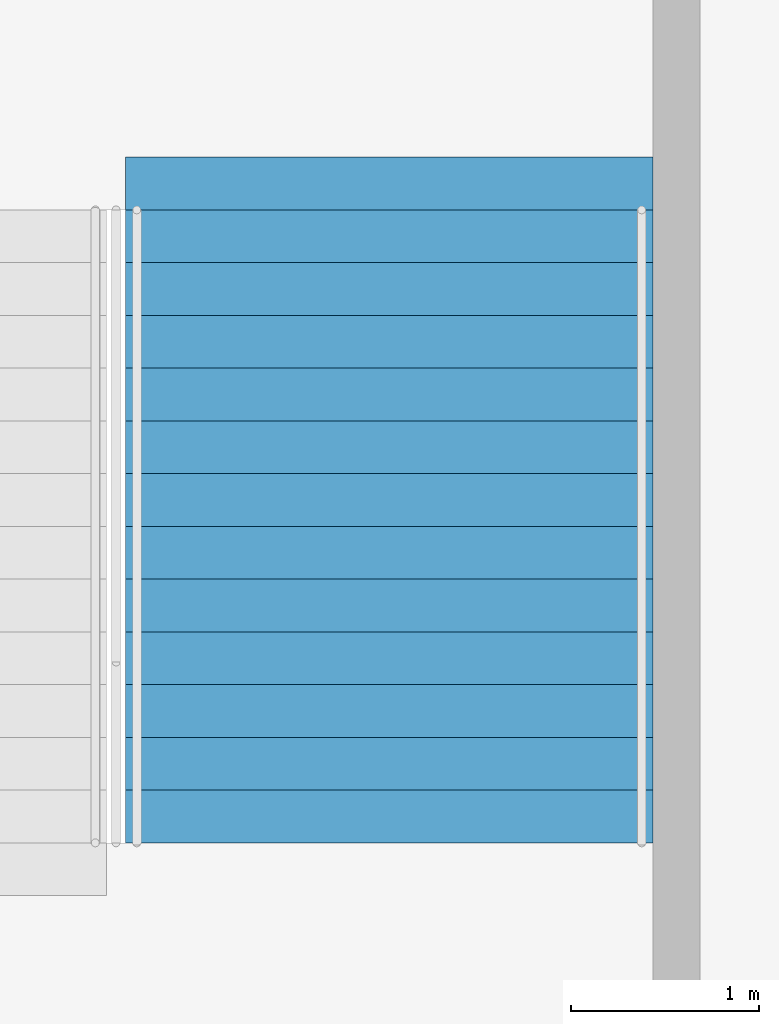
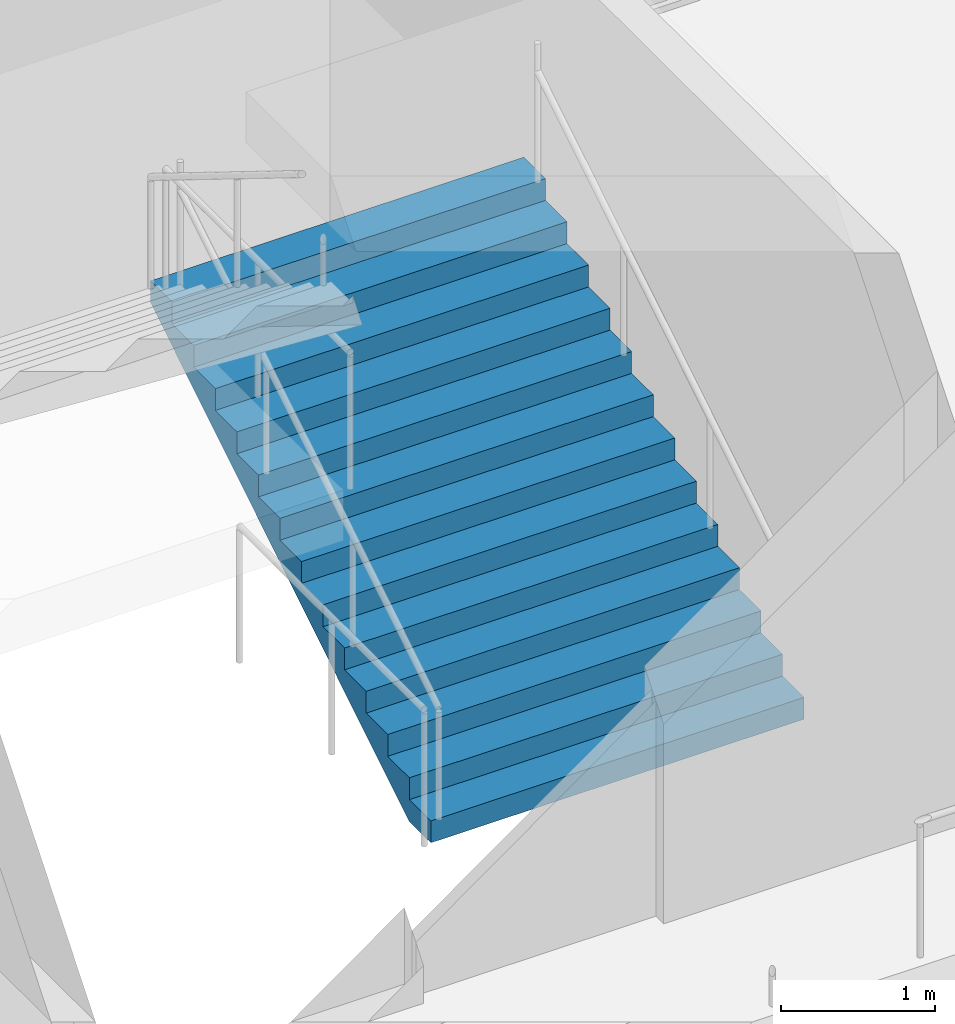
# One storey, part 147 of 177: 1 stair flight, 1 element without a shape of its own.
"""IFC4 building model written with IfcOpenShell, lengths in metres."""

from ifc_helpers import new_model, si_unit, direction, frame, origin, place, context, subcontext, project, spatial, faceted_brep, material, type_object, element, aggregate, save


model = new_model("IFC4")

# Units and contexts
model_context = context("Model", 3, precision=1e-05, world=origin(), true_north=direction((0.0, 1.0)))
body_context = subcontext(model_context, "Body", "Model", "MODEL_VIEW")
ifc_project = project(units=[si_unit("LENGTHUNIT", "METRE"), si_unit("AREAUNIT", "SQUARE_METRE"), si_unit("VOLUMEUNIT", "CUBIC_METRE"), si_unit("PLANEANGLEUNIT", "RADIAN"), si_unit("MASSUNIT", "GRAM", prefix="KILO")], contexts=[model_context])

# Site, building, storey
site_placement = place(None, origin())
site = spatial("IfcSite", under=ifc_project, at=site_placement, CompositionType="ELEMENT")
building_placement = place(site_placement, origin())
building = spatial("IfcBuilding", under=site, at=building_placement, Name="Ogive Plaza Stadium", CompositionType="ELEMENT")
storey_placement = place(building_placement, frame((0.0, 0.0, 18.0)))
storey = spatial("IfcBuildingStorey", under=building, at=storey_placement, Name="L04", CompositionType="ELEMENT", Elevation=18.0)

# Stair, stair flight
ifc_material_1 = material(Name="Concrete C40/50", Category="concrete")
stair_type = type_object("IfcStairType", Name="Exit stair", PredefinedType="STRAIGHT_RUN_STAIR", material=ifc_material_1)
stair_placement = place(storey_placement, origin())
stair = element("IfcStair", 1, at=stair_placement, inside=storey, type_object=stair_type, Name="Exit stair ST34A L04 to L05", PredefinedType="STRAIGHT_RUN_STAIR")
ifc_material_2 = material(Name="Concrete C40/50", Category="concrete")
stair_flight_type = type_object("IfcStairFlightType", Name="Exit stair flight", PredefinedType="STRAIGHT", material=ifc_material_2)
stair_flight_placement = place(storey_placement, frame((-2.375, 94.85009765625, 0.0), z_axis=(0.0, 0.0, 1.0), x_axis=(0.0, 1.0, 0.0)))
stair_flight = element("IfcStairFlight", 2, at=stair_flight_placement, type_object=stair_flight_type, Name="ST34A flight 1", NumberOfRisers=13, NumberOfTreads=12, PredefinedType="STRAIGHT", RiserHeight=0.173076923, TreadLength=0.28, context=body_context, shape_type="Brep", body=[
    faceted_brep([(0.28515625, -1.39990234375, 0.0), (3.639892578125, -1.39990234375, 2.07373046875), (3.639892578125, -1.39990234375, 2.25), (3.360107421875, -1.39990234375, 2.25), (3.360107421875, -1.39990234375, 2.076904296875), (3.080078125, -1.39990234375, 2.076904296875), (3.080078125, -1.39990234375, 1.90380859375), (2.800048828125, -1.39990234375, 1.90380859375), (2.800048828125, -1.39990234375, 1.730712890625), (2.52001953125, -1.39990234375, 1.730712890625), (2.52001953125, -1.39990234375, 1.5576171875), (2.239990234375, -1.39990234375, 1.5576171875), (2.239990234375, -1.39990234375, 1.384521484375), (1.9599609375, -1.39990234375, 1.384521484375), (1.9599609375, -1.39990234375, 1.21142578125), (1.679931640625, -1.39990234375, 1.21142578125), (1.679931640625, -1.39990234375, 1.03857421875), (1.39990234375, -1.39990234375, 1.03857421875), (1.39990234375, -1.39990234375, 0.865478515625), (1.1201171875, -1.39990234375, 0.865478515625), (1.1201171875, -1.39990234375, 0.6923828125), (0.840087890625, -1.39990234375, 0.6923828125), (0.840087890625, -1.39990234375, 0.519287109375), (0.56005859375, -1.39990234375, 0.519287109375), (0.56005859375, -1.39990234375, 0.34619140625), (0.280029296875, -1.39990234375, 0.34619140625), (0.280029296875, -1.39990234375, 0.173095703125), (0.0, -1.39990234375, 0.173095703125), (0.0, -1.39990234375, 0.0), (0.0, 1.39990234375, 0.0), (0.0, 1.39990234375, 0.173095703125), (0.280029296875, 1.39990234375, 0.173095703125), (0.280029296875, 1.39990234375, 0.34619140625), (0.56005859375, 1.39990234375, 0.34619140625), (0.56005859375, 1.39990234375, 0.519287109375), (0.840087890625, 1.39990234375, 0.519287109375), (0.840087890625, 1.39990234375, 0.6923828125), (1.1201171875, 1.39990234375, 0.6923828125), (1.1201171875, 1.39990234375, 0.865478515625), (1.39990234375, 1.39990234375, 0.865478515625), (1.39990234375, 1.39990234375, 1.03857421875), (1.679931640625, 1.39990234375, 1.03857421875), (1.679931640625, 1.39990234375, 1.21142578125), (1.9599609375, 1.39990234375, 1.21142578125), (1.9599609375, 1.39990234375, 1.384521484375), (2.239990234375, 1.39990234375, 1.384521484375), (2.239990234375, 1.39990234375, 1.5576171875), (2.52001953125, 1.39990234375, 1.5576171875), (2.52001953125, 1.39990234375, 1.730712890625), (2.800048828125, 1.39990234375, 1.730712890625), (2.800048828125, 1.39990234375, 1.90380859375), (3.080078125, 1.39990234375, 1.90380859375), (3.080078125, 1.39990234375, 2.076904296875), (3.360107421875, 1.39990234375, 2.076904296875), (3.360107421875, 1.39990234375, 2.25), (3.639892578125, 1.39990234375, 2.25), (3.639892578125, 1.39990234375, 2.07373046875), (0.28515625, 1.39990234375, 0.0), (0.28515625, -1.0888671875, 0.0), (3.639892578125, -1.0888671875, 2.07373046875), (0.28515625, -0.77783203125, 0.0), (3.639892578125, -0.77783203125, 2.07373046875), (0.28515625, -0.466796875, 0.0), (3.639892578125, -0.466796875, 2.07373046875), (0.28515625, -0.155517578125, 0.0), (3.639892578125, -0.155517578125, 2.07373046875), (0.28515625, 0.155517578125, 0.0), (3.639892578125, 0.155517578125, 2.07373046875), (0.28515625, 0.466796875, 0.0), (3.639892578125, 0.466796875, 2.07373046875), (0.28515625, 0.77783203125, 0.0), (3.639892578125, 0.77783203125, 2.07373046875), (0.28515625, 1.0888671875, 0.0), (3.639892578125, 1.0888671875, 2.07373046875), (3.639892578125, -1.0888671875, 2.25), (3.639892578125, -0.77783203125, 2.25), (3.639892578125, -0.466796875, 2.25), (3.639892578125, -0.155517578125, 2.25), (3.639892578125, 0.155517578125, 2.25), (3.639892578125, 0.466796875, 2.25), (3.639892578125, 0.77783203125, 2.25), (3.639892578125, 1.0888671875, 2.25), (3.360107421875, -1.0888671875, 2.25), (3.360107421875, -0.77783203125, 2.25), (3.360107421875, -0.466796875, 2.25), (3.360107421875, -0.155517578125, 2.25), (3.360107421875, 0.155517578125, 2.25), (3.360107421875, 0.466796875, 2.25), (3.360107421875, 0.77783203125, 2.25), (3.360107421875, 1.0888671875, 2.25), (3.360107421875, -1.0888671875, 2.076904296875), (3.360107421875, -0.77783203125, 2.076904296875), (3.360107421875, -0.466796875, 2.076904296875), (3.360107421875, -0.155517578125, 2.076904296875), (3.360107421875, 0.155517578125, 2.076904296875), (3.360107421875, 0.466796875, 2.076904296875), (3.360107421875, 0.77783203125, 2.076904296875), (3.360107421875, 1.0888671875, 2.076904296875), (3.080078125, -1.0888671875, 2.076904296875), (3.080078125, -0.77783203125, 2.076904296875), (3.080078125, -0.466796875, 2.076904296875), (3.080078125, -0.155517578125, 2.076904296875), (3.080078125, 0.155517578125, 2.076904296875), (3.080078125, 0.466796875, 2.076904296875), (3.080078125, 0.77783203125, 2.076904296875), (3.080078125, 1.0888671875, 2.076904296875), (3.080078125, -1.0888671875, 1.90380859375), (3.080078125, -0.77783203125, 1.90380859375), (3.080078125, -0.466796875, 1.90380859375), (3.080078125, -0.155517578125, 1.90380859375), (3.080078125, 0.155517578125, 1.90380859375), (3.080078125, 0.466796875, 1.90380859375), (3.080078125, 0.77783203125, 1.90380859375), (3.080078125, 1.0888671875, 1.90380859375), (2.800048828125, -1.0888671875, 1.90380859375), (2.800048828125, -0.77783203125, 1.90380859375), (2.800048828125, -0.466796875, 1.90380859375), (2.800048828125, -0.155517578125, 1.90380859375), (2.800048828125, 0.155517578125, 1.90380859375), (2.800048828125, 0.466796875, 1.90380859375), (2.800048828125, 0.77783203125, 1.90380859375), (2.800048828125, 1.0888671875, 1.90380859375), (2.800048828125, -1.0888671875, 1.730712890625), (2.800048828125, -0.77783203125, 1.730712890625), (2.800048828125, -0.466796875, 1.730712890625), (2.800048828125, -0.155517578125, 1.730712890625), (2.800048828125, 0.155517578125, 1.730712890625), (2.800048828125, 0.466796875, 1.730712890625), (2.800048828125, 0.77783203125, 1.730712890625), (2.800048828125, 1.0888671875, 1.730712890625), (2.52001953125, -1.0888671875, 1.730712890625), (2.52001953125, -0.77783203125, 1.730712890625), (2.52001953125, -0.466796875, 1.730712890625), (2.52001953125, -0.155517578125, 1.730712890625), (2.52001953125, 0.155517578125, 1.730712890625), (2.52001953125, 0.466796875, 1.730712890625), (2.52001953125, 0.77783203125, 1.730712890625), (2.52001953125, 1.0888671875, 1.730712890625), (2.52001953125, -1.0888671875, 1.5576171875), (2.52001953125, -0.77783203125, 1.5576171875), (2.52001953125, -0.466796875, 1.5576171875), (2.52001953125, -0.155517578125, 1.5576171875), (2.52001953125, 0.155517578125, 1.5576171875), (2.52001953125, 0.466796875, 1.5576171875), (2.52001953125, 0.77783203125, 1.5576171875), (2.52001953125, 1.0888671875, 1.5576171875), (2.239990234375, -1.0888671875, 1.5576171875), (2.239990234375, -0.77783203125, 1.5576171875), (2.239990234375, -0.466796875, 1.5576171875), (2.239990234375, -0.155517578125, 1.5576171875), (2.239990234375, 0.155517578125, 1.5576171875), (2.239990234375, 0.466796875, 1.5576171875), (2.239990234375, 0.77783203125, 1.5576171875), (2.239990234375, 1.0888671875, 1.5576171875), (2.239990234375, -1.0888671875, 1.384521484375), (2.239990234375, -0.77783203125, 1.384521484375), (2.239990234375, -0.466796875, 1.384521484375), (2.239990234375, -0.155517578125, 1.384521484375), (2.239990234375, 0.155517578125, 1.384521484375), (2.239990234375, 0.466796875, 1.384521484375), (2.239990234375, 0.77783203125, 1.384521484375), (2.239990234375, 1.0888671875, 1.384521484375), (1.9599609375, -1.0888671875, 1.384521484375), (1.9599609375, -0.77783203125, 1.384521484375), (1.9599609375, -0.466796875, 1.384521484375), (1.9599609375, -0.155517578125, 1.384521484375), (1.9599609375, 0.155517578125, 1.384521484375), (1.9599609375, 0.466796875, 1.384521484375), (1.9599609375, 0.77783203125, 1.384521484375), (1.9599609375, 1.0888671875, 1.384521484375), (1.9599609375, -1.0888671875, 1.21142578125), (1.9599609375, -0.77783203125, 1.21142578125), (1.9599609375, -0.466796875, 1.21142578125), (1.9599609375, -0.155517578125, 1.21142578125), (1.9599609375, 0.155517578125, 1.21142578125), (1.9599609375, 0.466796875, 1.21142578125), (1.9599609375, 0.77783203125, 1.21142578125), (1.9599609375, 1.0888671875, 1.21142578125), (1.679931640625, -1.0888671875, 1.21142578125), (1.679931640625, -0.77783203125, 1.21142578125), (1.679931640625, -0.466796875, 1.21142578125), (1.679931640625, -0.155517578125, 1.21142578125), (1.679931640625, 0.155517578125, 1.21142578125), (1.679931640625, 0.466796875, 1.21142578125), (1.679931640625, 0.77783203125, 1.21142578125), (1.679931640625, 1.0888671875, 1.21142578125), (1.679931640625, -1.0888671875, 1.03857421875), (1.679931640625, -0.77783203125, 1.03857421875), (1.679931640625, -0.466796875, 1.03857421875), (1.679931640625, -0.155517578125, 1.03857421875), (1.679931640625, 0.155517578125, 1.03857421875), (1.679931640625, 0.466796875, 1.03857421875), (1.679931640625, 0.77783203125, 1.03857421875), (1.679931640625, 1.0888671875, 1.03857421875), (1.39990234375, -1.0888671875, 1.03857421875), (1.39990234375, -0.77783203125, 1.03857421875), (1.39990234375, -0.466796875, 1.03857421875), (1.39990234375, -0.155517578125, 1.03857421875), (1.39990234375, 0.155517578125, 1.03857421875), (1.39990234375, 0.466796875, 1.03857421875), (1.39990234375, 0.77783203125, 1.03857421875), (1.39990234375, 1.0888671875, 1.03857421875), (1.39990234375, -1.0888671875, 0.865478515625), (1.39990234375, -0.77783203125, 0.865478515625), (1.39990234375, -0.466796875, 0.865478515625), (1.39990234375, -0.155517578125, 0.865478515625), (1.39990234375, 0.155517578125, 0.865478515625), (1.39990234375, 0.466796875, 0.865478515625), (1.39990234375, 0.77783203125, 0.865478515625), (1.39990234375, 1.0888671875, 0.865478515625), (1.1201171875, -1.0888671875, 0.865478515625), (1.1201171875, -0.77783203125, 0.865478515625), (1.1201171875, -0.466796875, 0.865478515625), (1.1201171875, -0.155517578125, 0.865478515625), (1.1201171875, 0.155517578125, 0.865478515625), (1.1201171875, 0.466796875, 0.865478515625), (1.1201171875, 0.77783203125, 0.865478515625), (1.1201171875, 1.0888671875, 0.865478515625), (1.1201171875, -1.0888671875, 0.6923828125), (1.1201171875, -0.77783203125, 0.6923828125), (1.1201171875, -0.466796875, 0.6923828125), (1.1201171875, -0.155517578125, 0.6923828125), (1.1201171875, 0.155517578125, 0.6923828125), (1.1201171875, 0.466796875, 0.6923828125), (1.1201171875, 0.77783203125, 0.6923828125), (1.1201171875, 1.0888671875, 0.6923828125), (0.840087890625, -1.0888671875, 0.6923828125), (0.840087890625, -0.77783203125, 0.6923828125), (0.840087890625, -0.466796875, 0.6923828125), (0.840087890625, -0.155517578125, 0.6923828125), (0.840087890625, 0.155517578125, 0.6923828125), (0.840087890625, 0.466796875, 0.6923828125), (0.840087890625, 0.77783203125, 0.6923828125), (0.840087890625, 1.0888671875, 0.6923828125), (0.840087890625, -1.0888671875, 0.519287109375), (0.840087890625, -0.77783203125, 0.519287109375), (0.840087890625, -0.466796875, 0.519287109375), (0.840087890625, -0.155517578125, 0.519287109375), (0.840087890625, 0.155517578125, 0.519287109375), (0.840087890625, 0.466796875, 0.519287109375), (0.840087890625, 0.77783203125, 0.519287109375), (0.840087890625, 1.0888671875, 0.519287109375), (0.56005859375, -1.0888671875, 0.519287109375), (0.56005859375, -0.77783203125, 0.519287109375), (0.56005859375, -0.466796875, 0.519287109375), (0.56005859375, -0.155517578125, 0.519287109375), (0.56005859375, 0.155517578125, 0.519287109375), (0.56005859375, 0.466796875, 0.519287109375), (0.56005859375, 0.77783203125, 0.519287109375), (0.56005859375, 1.0888671875, 0.519287109375), (0.56005859375, -1.0888671875, 0.34619140625), (0.56005859375, -0.77783203125, 0.34619140625), (0.56005859375, -0.466796875, 0.34619140625), (0.56005859375, -0.155517578125, 0.34619140625), (0.56005859375, 0.155517578125, 0.34619140625), (0.56005859375, 0.466796875, 0.34619140625), (0.56005859375, 0.77783203125, 0.34619140625), (0.56005859375, 1.0888671875, 0.34619140625), (0.280029296875, -1.0888671875, 0.34619140625), (0.280029296875, -0.77783203125, 0.34619140625), (0.280029296875, -0.466796875, 0.34619140625), (0.280029296875, -0.155517578125, 0.34619140625), (0.280029296875, 0.155517578125, 0.34619140625), (0.280029296875, 0.466796875, 0.34619140625), (0.280029296875, 0.77783203125, 0.34619140625), (0.280029296875, 1.0888671875, 0.34619140625), (0.280029296875, -1.0888671875, 0.173095703125), (0.280029296875, -0.77783203125, 0.173095703125), (0.280029296875, -0.466796875, 0.173095703125), (0.280029296875, -0.155517578125, 0.173095703125), (0.280029296875, 0.155517578125, 0.173095703125), (0.280029296875, 0.466796875, 0.173095703125), (0.280029296875, 0.77783203125, 0.173095703125), (0.280029296875, 1.0888671875, 0.173095703125), (0.0, -1.0888671875, 0.173095703125), (0.0, -0.77783203125, 0.173095703125), (0.0, -0.466796875, 0.173095703125), (0.0, -0.155517578125, 0.173095703125), (0.0, 0.155517578125, 0.173095703125), (0.0, 0.466796875, 0.173095703125), (0.0, 0.77783203125, 0.173095703125), (0.0, 1.0888671875, 0.173095703125), (0.0, -1.0888671875, 0.0), (0.0, -0.77783203125, 0.0), (0.0, -0.466796875, 0.0), (0.0, -0.155517578125, 0.0), (0.0, 0.155517578125, 0.0), (0.0, 0.466796875, 0.0), (0.0, 0.77783203125, 0.0), (0.0, 1.0888671875, 0.0)], [[[0, 1, 2, 3, 4, 5, 6, 7, 8, 9, 10, 11, 12, 13, 14, 15, 16, 17, 18, 19, 20, 21, 22, 23, 24, 25, 26, 27, 28]], [[29, 30, 31, 32, 33, 34, 35, 36, 37, 38, 39, 40, 41, 42, 43, 44, 45, 46, 47, 48, 49, 50, 51, 52, 53, 54, 55, 56, 57]], [[0, 58, 59, 1]], [[58, 60, 61, 59]], [[60, 62, 63, 61]], [[62, 64, 65, 63]], [[64, 66, 67, 65]], [[66, 68, 69, 67]], [[68, 70, 71, 69]], [[70, 72, 73, 71]], [[72, 57, 56, 73]], [[1, 59, 74, 2]], [[59, 61, 75, 74]], [[61, 63, 76, 75]], [[63, 65, 77, 76]], [[65, 67, 78, 77]], [[67, 69, 79, 78]], [[69, 71, 80, 79]], [[71, 73, 81, 80]], [[73, 56, 55, 81]], [[2, 74, 82, 3]], [[74, 75, 83, 82]], [[75, 76, 84, 83]], [[76, 77, 85, 84]], [[77, 78, 86, 85]], [[78, 79, 87, 86]], [[79, 80, 88, 87]], [[80, 81, 89, 88]], [[81, 55, 54, 89]], [[3, 82, 90, 4]], [[82, 83, 91, 90]], [[83, 84, 92, 91]], [[84, 85, 93, 92]], [[85, 86, 94, 93]], [[86, 87, 95, 94]], [[87, 88, 96, 95]], [[88, 89, 97, 96]], [[89, 54, 53, 97]], [[4, 90, 98, 5]], [[90, 91, 99, 98]], [[91, 92, 100, 99]], [[92, 93, 101, 100]], [[93, 94, 102, 101]], [[94, 95, 103, 102]], [[95, 96, 104, 103]], [[96, 97, 105, 104]], [[97, 53, 52, 105]], [[5, 98, 106, 6]], [[98, 99, 107, 106]], [[99, 100, 108, 107]], [[100, 101, 109, 108]], [[101, 102, 110, 109]], [[102, 103, 111, 110]], [[103, 104, 112, 111]], [[104, 105, 113, 112]], [[105, 52, 51, 113]], [[6, 106, 114, 7]], [[106, 107, 115, 114]], [[107, 108, 116, 115]], [[108, 109, 117, 116]], [[109, 110, 118, 117]], [[110, 111, 119, 118]], [[111, 112, 120, 119]], [[112, 113, 121, 120]], [[113, 51, 50, 121]], [[7, 114, 122, 8]], [[114, 115, 123, 122]], [[115, 116, 124, 123]], [[116, 117, 125, 124]], [[117, 118, 126, 125]], [[118, 119, 127, 126]], [[119, 120, 128, 127]], [[120, 121, 129, 128]], [[121, 50, 49, 129]], [[8, 122, 130, 9]], [[122, 123, 131, 130]], [[123, 124, 132, 131]], [[124, 125, 133, 132]], [[125, 126, 134, 133]], [[126, 127, 135, 134]], [[127, 128, 136, 135]], [[128, 129, 137, 136]], [[129, 49, 48, 137]], [[9, 130, 138, 10]], [[130, 131, 139, 138]], [[131, 132, 140, 139]], [[132, 133, 141, 140]], [[133, 134, 142, 141]], [[134, 135, 143, 142]], [[135, 136, 144, 143]], [[136, 137, 145, 144]], [[137, 48, 47, 145]], [[10, 138, 146, 11]], [[138, 139, 147, 146]], [[139, 140, 148, 147]], [[140, 141, 149, 148]], [[141, 142, 150, 149]], [[142, 143, 151, 150]], [[143, 144, 152, 151]], [[144, 145, 153, 152]], [[145, 47, 46, 153]], [[11, 146, 154, 12]], [[146, 147, 155, 154]], [[147, 148, 156, 155]], [[148, 149, 157, 156]], [[149, 150, 158, 157]], [[150, 151, 159, 158]], [[151, 152, 160, 159]], [[152, 153, 161, 160]], [[153, 46, 45, 161]], [[12, 154, 162, 13]], [[154, 155, 163, 162]], [[155, 156, 164, 163]], [[156, 157, 165, 164]], [[157, 158, 166, 165]], [[158, 159, 167, 166]], [[159, 160, 168, 167]], [[160, 161, 169, 168]], [[161, 45, 44, 169]], [[13, 162, 170, 14]], [[162, 163, 171, 170]], [[163, 164, 172, 171]], [[164, 165, 173, 172]], [[165, 166, 174, 173]], [[166, 167, 175, 174]], [[167, 168, 176, 175]], [[168, 169, 177, 176]], [[169, 44, 43, 177]], [[14, 170, 178, 15]], [[170, 171, 179, 178]], [[171, 172, 180, 179]], [[172, 173, 181, 180]], [[173, 174, 182, 181]], [[174, 175, 183, 182]], [[175, 176, 184, 183]], [[176, 177, 185, 184]], [[177, 43, 42, 185]], [[15, 178, 186, 16]], [[178, 179, 187, 186]], [[179, 180, 188, 187]], [[180, 181, 189, 188]], [[181, 182, 190, 189]], [[182, 183, 191, 190]], [[183, 184, 192, 191]], [[184, 185, 193, 192]], [[185, 42, 41, 193]], [[16, 186, 194, 17]], [[186, 187, 195, 194]], [[187, 188, 196, 195]], [[188, 189, 197, 196]], [[189, 190, 198, 197]], [[190, 191, 199, 198]], [[191, 192, 200, 199]], [[192, 193, 201, 200]], [[193, 41, 40, 201]], [[17, 194, 202, 18]], [[194, 195, 203, 202]], [[195, 196, 204, 203]], [[196, 197, 205, 204]], [[197, 198, 206, 205]], [[198, 199, 207, 206]], [[199, 200, 208, 207]], [[200, 201, 209, 208]], [[201, 40, 39, 209]], [[18, 202, 210, 19]], [[202, 203, 211, 210]], [[203, 204, 212, 211]], [[204, 205, 213, 212]], [[205, 206, 214, 213]], [[206, 207, 215, 214]], [[207, 208, 216, 215]], [[208, 209, 217, 216]], [[209, 39, 38, 217]], [[19, 210, 218, 20]], [[210, 211, 219, 218]], [[211, 212, 220, 219]], [[212, 213, 221, 220]], [[213, 214, 222, 221]], [[214, 215, 223, 222]], [[215, 216, 224, 223]], [[216, 217, 225, 224]], [[217, 38, 37, 225]], [[20, 218, 226, 21]], [[218, 219, 227, 226]], [[219, 220, 228, 227]], [[220, 221, 229, 228]], [[221, 222, 230, 229]], [[222, 223, 231, 230]], [[223, 224, 232, 231]], [[224, 225, 233, 232]], [[225, 37, 36, 233]], [[21, 226, 234, 22]], [[226, 227, 235, 234]], [[227, 228, 236, 235]], [[228, 229, 237, 236]], [[229, 230, 238, 237]], [[230, 231, 239, 238]], [[231, 232, 240, 239]], [[232, 233, 241, 240]], [[233, 36, 35, 241]], [[22, 234, 242, 23]], [[234, 235, 243, 242]], [[235, 236, 244, 243]], [[236, 237, 245, 244]], [[237, 238, 246, 245]], [[238, 239, 247, 246]], [[239, 240, 248, 247]], [[240, 241, 249, 248]], [[241, 35, 34, 249]], [[23, 242, 250, 24]], [[242, 243, 251, 250]], [[243, 244, 252, 251]], [[244, 245, 253, 252]], [[245, 246, 254, 253]], [[246, 247, 255, 254]], [[247, 248, 256, 255]], [[248, 249, 257, 256]], [[249, 34, 33, 257]], [[24, 250, 258, 25]], [[250, 251, 259, 258]], [[251, 252, 260, 259]], [[252, 253, 261, 260]], [[253, 254, 262, 261]], [[254, 255, 263, 262]], [[255, 256, 264, 263]], [[256, 257, 265, 264]], [[257, 33, 32, 265]], [[25, 258, 266, 26]], [[258, 259, 267, 266]], [[259, 260, 268, 267]], [[260, 261, 269, 268]], [[261, 262, 270, 269]], [[262, 263, 271, 270]], [[263, 264, 272, 271]], [[264, 265, 273, 272]], [[265, 32, 31, 273]], [[26, 266, 274, 27]], [[266, 267, 275, 274]], [[267, 268, 276, 275]], [[268, 269, 277, 276]], [[269, 270, 278, 277]], [[270, 271, 279, 278]], [[271, 272, 280, 279]], [[272, 273, 281, 280]], [[273, 31, 30, 281]], [[27, 274, 282, 28]], [[274, 275, 283, 282]], [[275, 276, 284, 283]], [[276, 277, 285, 284]], [[277, 278, 286, 285]], [[278, 279, 287, 286]], [[279, 280, 288, 287]], [[280, 281, 289, 288]], [[281, 30, 29, 289]], [[28, 282, 58, 0]], [[282, 283, 60, 58]], [[283, 284, 62, 60]], [[284, 285, 64, 62]], [[285, 286, 66, 64]], [[286, 287, 68, 66]], [[287, 288, 70, 68]], [[288, 289, 72, 70]], [[289, 29, 57, 72]]]),
])
aggregate(stair, [stair_flight])

save(model, "model.ifc")
